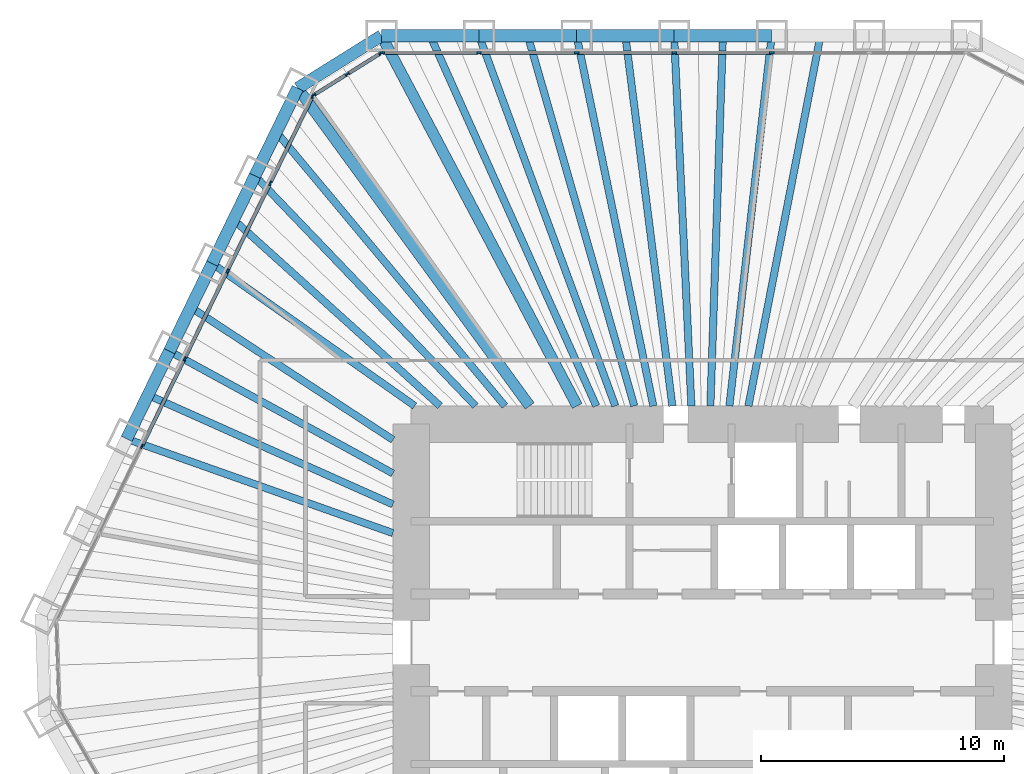
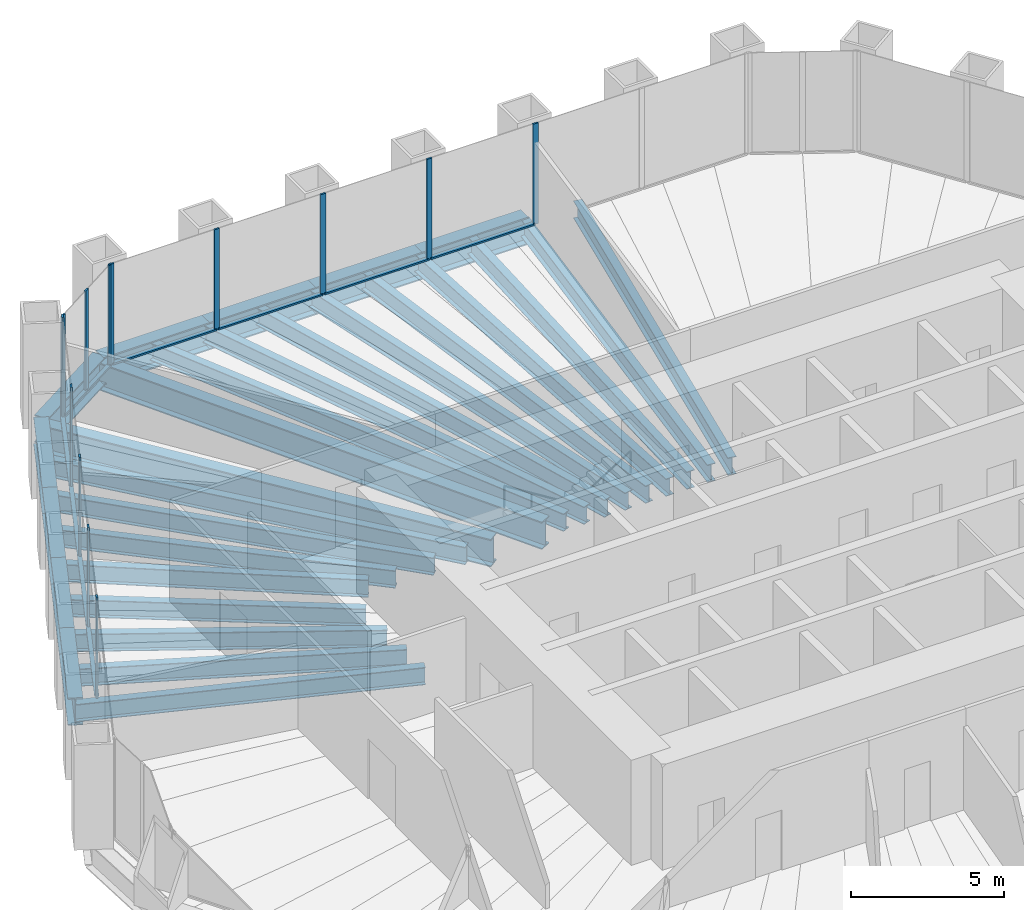
# One storey, part 6 of 13: 28 beams, 23 members, 3 elements without a shape of their own.
"""IFC4 building model written with IfcOpenShell, lengths in metres."""

from ifc_helpers import new_model, si_unit, direction, frame, origin, origin_2d, place, context, subcontext, project, spatial, rectangle, i_section, extrude, material, material_profile, profile_set, type_object, element, aggregate, save


model = new_model("IFC4")

# Units and contexts
model_context = context("Model", 3, precision=1e-05, world=origin(), true_north=direction((0.0, 1.0)))
body_context = subcontext(model_context, "Body", "Model", "MODEL_VIEW")
ifc_project = project(units=[si_unit("LENGTHUNIT", "METRE"), si_unit("AREAUNIT", "SQUARE_METRE"), si_unit("VOLUMEUNIT", "CUBIC_METRE"), si_unit("PLANEANGLEUNIT", "RADIAN"), si_unit("MASSUNIT", "GRAM", prefix="KILO")], contexts=[model_context])

# Site, building, storey
site_placement = place(None, origin())
site = spatial("IfcSite", under=ifc_project, at=site_placement, CompositionType="ELEMENT")
building_placement = place(site_placement, origin())
building = spatial("IfcBuilding", under=site, at=building_placement, Name="Qingtian Harvest Tower", CompositionType="ELEMENT")
storey_placement = place(building_placement, frame((0.0, 0.0, 124.0)))
storey = spatial("IfcBuildingStorey", under=building, at=storey_placement, Name="L25", CompositionType="ELEMENT", Elevation=124.0)

# Beams
ifc_material_1 = material(Name="Steel SM570MC", Category="steel")
ifc_material_profile_1 = material_profile(ifc_material_1, i_section(OverallWidth=0.449951171875, OverallDepth=1.10009765625, WebThickness=0.02197265625, FlangeThickness=0.044921875, at=origin_2d()), Name="H1100x450x22x45")
ifc_profile_set_1 = profile_set([ifc_material_profile_1], Name="Steel SM570MC")
beam_type_1 = type_object("IfcBeamType", Name="Corner floor beam FB8 H1100x450x22x45", PredefinedType="BEAM", material=ifc_profile_set_1)
beam_1_placement = place(storey_placement, frame((-13.2216796875, 25.0, -0.719970703125), z_axis=(0.46750989692, -0.88398783718, 0.0), x_axis=(0.88398783718, 0.46750989692, 0.0)))
element("IfcBeam", 1, at=beam_1_placement, inside=storey, type_object=beam_type_1, Name="Floor beam FB8 N0", PredefinedType="BEAM", context=body_context, shape_type="SweptSolid", body=[
    extrude(i_section(OverallWidth=0.449951171875, OverallDepth=1.10009765625, WebThickness=0.02197265625, FlangeThickness=0.044921875, at=origin_2d()), origin(), (0.0, 0.0, 1.0), 17.25146484375),
])
beam_2_placement = place(storey_placement, frame((-16.673828125, 22.8427734375, -0.719970703125), z_axis=(0.589577703364, -0.807711663712, 0.0), x_axis=(0.807711663712, 0.589577703364, 0.0)))
element("IfcBeam", 2, at=beam_2_placement, inside=storey, type_object=beam_type_1, Name="Floor beam FB8 NW6", PredefinedType="BEAM", context=body_context, shape_type="SweptSolid", body=[
    extrude(i_section(OverallWidth=0.449951171875, OverallDepth=1.10009765625, WebThickness=0.02197265625, FlangeThickness=0.044921875, at=origin_2d()), origin(), (0.0, 0.0, 1.0), 16.209716796875),
])
ifc_material_2 = material(Name="Steel SN490B", Category="steel")
ifc_material_profile_2 = material_profile(ifc_material_2, i_section(OverallWidth=0.300048828125, OverallDepth=0.699951171875, WebThickness=0.012939453125, FlangeThickness=0.02392578125, at=origin_2d()), Name="H700x300x13x24")
ifc_profile_set_2 = profile_set([ifc_material_profile_2], Name="Steel SN490B")
beam_type_2 = type_object("IfcBeamType", Name="Floor beam FB2 H700x300x13x24", PredefinedType="BEAM", material=ifc_profile_set_2)
beam_3_placement = place(storey_placement, frame((-9.20263671875, 25.0, -0.52001953125), z_axis=(0.345440084985, -0.938440806703, 0.0), x_axis=(0.938440806703, 0.345440084985, 0.0)))
element("IfcBeam", 3, at=beam_3_placement, inside=storey, type_object=beam_type_2, Name="Floor beam FB2 N1", PredefinedType="BEAM", context=body_context, shape_type="SweptSolid", body=[
    extrude(i_section(OverallWidth=0.300048828125, OverallDepth=0.699951171875, WebThickness=0.012939453125, FlangeThickness=0.02392578125, at=origin_2d()), origin(), (0.0, 0.0, 1.0), 16.250244140625),
])
beam_4_placement = place(storey_placement, frame((-5.18359375, 25.0, -0.52001953125), z_axis=(0.203032709566, -0.979171955709, 0.0), x_axis=(0.979171955709, 0.203032709566, 0.0)))
element("IfcBeam", 4, at=beam_4_placement, inside=storey, type_object=beam_type_2, Name="Floor beam FB2 N2", PredefinedType="BEAM", context=body_context, shape_type="SweptSolid", body=[
    extrude(i_section(OverallWidth=0.300048828125, OverallDepth=0.699951171875, WebThickness=0.012939453125, FlangeThickness=0.02392578125, at=origin_2d()), origin(), (0.0, 0.0, 1.0), 15.574462890625),
])
beam_5_placement = place(storey_placement, frame((-1.16455078125, 25.0, -0.52001953125), z_axis=(0.046536361684, -0.998916596639, 0.0), x_axis=(0.998916596639, 0.046536361684, 0.0)))
element("IfcBeam", 5, at=beam_5_placement, inside=storey, type_object=beam_type_2, Name="Floor beam FB2 N3", PredefinedType="BEAM", context=body_context, shape_type="SweptSolid", body=[
    extrude(i_section(OverallWidth=0.300048828125, OverallDepth=0.699951171875, WebThickness=0.012939453125, FlangeThickness=0.02392578125, at=origin_2d()), origin(), (0.0, 0.0, 1.0), 15.2666015625),
])
beam_6_placement = place(storey_placement, frame((2.8544921875, 25.0, -0.52001953125), z_axis=(-0.113440722222, -0.993544766249, 0.0), x_axis=(0.993544766249, -0.113440722222, 0.0)))
element("IfcBeam", 6, at=beam_6_placement, inside=storey, type_object=beam_type_2, Name="Floor beam FB2 N4", PredefinedType="BEAM", context=body_context, shape_type="SweptSolid", body=[
    extrude(i_section(OverallWidth=0.300048828125, OverallDepth=0.699951171875, WebThickness=0.012939453125, FlangeThickness=0.02392578125, at=origin_2d()), origin(), (0.0, 0.0, 1.0), 15.34912109375),
])
beam_7_placement = place(storey_placement, frame((-23.72119140625, 8.3935546875, -0.52001953125), z_axis=(0.942723186419, -0.333576068967, 0.0), x_axis=(0.333576068967, 0.942723186419, 0.0)))
element("IfcBeam", 7, at=beam_7_placement, inside=storey, type_object=beam_type_2, Name="Floor beam FB2 NW2", PredefinedType="BEAM", context=body_context, shape_type="SweptSolid", body=[
    extrude(i_section(OverallWidth=0.300048828125, OverallDepth=0.699951171875, WebThickness=0.012939453125, FlangeThickness=0.02392578125, at=origin_2d()), origin(), (0.0, 0.0, 1.0), 11.6376953125),
])
beam_8_placement = place(storey_placement, frame((-21.95947265625, 12.005859375, -0.52001953125), z_axis=(0.877432026785, -0.479700988505, 0.0), x_axis=(0.479700988505, 0.877432026785, 0.0)))
element("IfcBeam", 8, at=beam_8_placement, inside=storey, type_object=beam_type_2, Name="Floor beam FB2 NW3", PredefinedType="BEAM", context=body_context, shape_type="SweptSolid", body=[
    extrude(i_section(OverallWidth=0.300048828125, OverallDepth=0.699951171875, WebThickness=0.012939453125, FlangeThickness=0.02392578125, at=origin_2d()), origin(), (0.0, 0.0, 1.0), 10.495849609375),
])
beam_9_placement = place(storey_placement, frame((-20.197509765625, 15.6181640625, -0.52001953125), z_axis=(0.818080343043, -0.57510394915, 0.0), x_axis=(0.57510394915, 0.818080343043, 0.0)))
element("IfcBeam", 9, at=beam_9_placement, inside=storey, type_object=beam_type_2, Name="Floor beam FB2 NW4", PredefinedType="BEAM", context=body_context, shape_type="SweptSolid", body=[
    extrude(i_section(OverallWidth=0.300048828125, OverallDepth=0.699951171875, WebThickness=0.012939453125, FlangeThickness=0.02392578125, at=origin_2d()), origin(), (0.0, 0.0, 1.0), 10.20361328125),
])
beam_10_placement = place(storey_placement, frame((-18.435791015625, 19.23046875, -0.52001953125), z_axis=(0.69204101057, -0.721858185303, 0.0), x_axis=(0.721858185303, 0.69204101057, 0.0)))
element("IfcBeam", 10, at=beam_10_placement, inside=storey, type_object=beam_type_2, Name="Floor beam FB2 NW5", PredefinedType="BEAM", context=body_context, shape_type="SweptSolid", body=[
    extrude(i_section(OverallWidth=0.300048828125, OverallDepth=0.699951171875, WebThickness=0.012939453125, FlangeThickness=0.02392578125, at=origin_2d()), origin(), (0.0, 0.0, 1.0), 13.13330078125),
])
ifc_material_3 = material(Name="Steel SN490B", Category="steel")
ifc_material_profile_3 = material_profile(ifc_material_3, i_section(OverallWidth=0.300048828125, OverallDepth=0.699951171875, WebThickness=0.012939453125, FlangeThickness=0.02392578125, at=origin_2d()), Name="H700x300x13x24")
ifc_profile_set_3 = profile_set([ifc_material_profile_3], Name="Steel SN490B")
beam_type_3 = type_object("IfcBeamType", Name="Floor joist J2 H700x300x13x24", PredefinedType="JOIST", material=ifc_profile_set_3)
beam_11_placement = place(storey_placement, frame((-11.212158203125, 25.0, -0.52001953125), z_axis=(0.409212761683, -0.912438992852, 0.0), x_axis=(0.912438992852, 0.409212761683, 0.0)))
element("IfcBeam", 11, at=beam_11_placement, inside=storey, type_object=beam_type_3, Name="Floor joist J2 N0", PredefinedType="JOIST", context=body_context, shape_type="SweptSolid", body=[
    extrude(i_section(OverallWidth=0.300048828125, OverallDepth=0.699951171875, WebThickness=0.012939453125, FlangeThickness=0.02392578125, at=origin_2d()), origin(), (0.0, 0.0, 1.0), 16.71337890625),
])
beam_12_placement = place(storey_placement, frame((-7.193115234375, 25.0, -0.52001953125), z_axis=(0.276500682027, -0.961013721462, 0.0), x_axis=(0.961013721462, 0.276500682027, 0.0)))
element("IfcBeam", 12, at=beam_12_placement, inside=storey, type_object=beam_type_3, Name="Floor joist J2 N1", PredefinedType="JOIST", context=body_context, shape_type="SweptSolid", body=[
    extrude(i_section(OverallWidth=0.300048828125, OverallDepth=0.699951171875, WebThickness=0.012939453125, FlangeThickness=0.02392578125, at=origin_2d()), origin(), (0.0, 0.0, 1.0), 15.86865234375),
])
beam_13_placement = place(storey_placement, frame((-3.174072265625, 25.0, -0.52001953125), z_axis=(0.125957899702, -0.992035587821, 0.0), x_axis=(0.992035587821, 0.125957899702, 0.0)))
element("IfcBeam", 13, at=beam_13_placement, inside=storey, type_object=beam_type_3, Name="Floor joist J2 N2", PredefinedType="JOIST", context=body_context, shape_type="SweptSolid", body=[
    extrude(i_section(OverallWidth=0.300048828125, OverallDepth=0.699951171875, WebThickness=0.012939453125, FlangeThickness=0.02392578125, at=origin_2d()), origin(), (0.0, 0.0, 1.0), 15.372314453125),
])
beam_14_placement = place(storey_placement, frame((0.844970703125, 25.0, -0.52001953125), z_axis=(-0.033776183237, -0.999429421943, 0.0), x_axis=(0.999429421943, -0.033776183237, 0.0)))
element("IfcBeam", 14, at=beam_14_placement, inside=storey, type_object=beam_type_3, Name="Floor joist J2 N3", PredefinedType="JOIST", context=body_context, shape_type="SweptSolid", body=[
    extrude(i_section(OverallWidth=0.300048828125, OverallDepth=0.699951171875, WebThickness=0.012939453125, FlangeThickness=0.02392578125, at=origin_2d()), origin(), (0.0, 0.0, 1.0), 15.2587890625),
])
beam_15_placement = place(storey_placement, frame((4.864013671875, 25.0, -0.52001953125), z_axis=(-0.190979017217, -0.981594119269, 0.0), x_axis=(0.981594119269, -0.190979017217, 0.0)))
element("IfcBeam", 15, at=beam_15_placement, inside=storey, type_object=beam_type_3, Name="Floor joist J2 N4", PredefinedType="JOIST", context=body_context, shape_type="SweptSolid", body=[
    extrude(i_section(OverallWidth=0.300048828125, OverallDepth=0.699951171875, WebThickness=0.012939453125, FlangeThickness=0.02392578125, at=origin_2d()), origin(), (0.0, 0.0, 1.0), 15.535888671875),
])
beam_16_placement = place(storey_placement, frame((-22.84033203125, 10.19970703125, -0.52001953125), z_axis=(0.913095877166, -0.407744919162, 0.0), x_axis=(0.407744919162, 0.913095877166, 0.0)))
element("IfcBeam", 16, at=beam_16_placement, inside=storey, type_object=beam_type_3, Name="Floor joist J2 NW2", PredefinedType="JOIST", context=body_context, shape_type="SweptSolid", body=[
    extrude(i_section(OverallWidth=0.300048828125, OverallDepth=0.699951171875, WebThickness=0.012939453125, FlangeThickness=0.02392578125, at=origin_2d()), origin(), (0.0, 0.0, 1.0), 11.05078125),
])
beam_17_placement = place(storey_placement, frame((-21.078369140625, 13.81201171875, -0.52001953125), z_axis=(0.836426246046, -0.548079496903, 0.0), x_axis=(0.548079496903, 0.836426246046, 0.0)))
element("IfcBeam", 17, at=beam_17_placement, inside=storey, type_object=beam_type_3, Name="Floor joist J2 NW3", PredefinedType="JOIST", context=body_context, shape_type="SweptSolid", body=[
    extrude(i_section(OverallWidth=0.300048828125, OverallDepth=0.699951171875, WebThickness=0.012939453125, FlangeThickness=0.02392578125, at=origin_2d()), origin(), (0.0, 0.0, 1.0), 9.95703125),
])
beam_18_placement = place(storey_placement, frame((-19.316650390625, 17.42431640625, -0.52001953125), z_axis=(0.742543540775, -0.669797797886, 0.0), x_axis=(0.669797797886, 0.742543540775, 0.0)))
element("IfcBeam", 18, at=beam_18_placement, inside=storey, type_object=beam_type_3, Name="Floor joist J2 NW4", PredefinedType="JOIST", context=body_context, shape_type="SweptSolid", body=[
    extrude(i_section(OverallWidth=0.300048828125, OverallDepth=0.699951171875, WebThickness=0.012939453125, FlangeThickness=0.02392578125, at=origin_2d()), origin(), (0.0, 0.0, 1.0), 11.457763671875),
])
beam_19_placement = place(storey_placement, frame((-17.5546875, 21.03662109375, -0.52001953125), z_axis=(0.640703730007, -0.767788206704, 0.0), x_axis=(0.767788206704, 0.640703730007, 0.0)))
element("IfcBeam", 19, at=beam_19_placement, inside=storey, type_object=beam_type_3, Name="Floor joist J2 NW5", PredefinedType="JOIST", context=body_context, shape_type="SweptSolid", body=[
    extrude(i_section(OverallWidth=0.300048828125, OverallDepth=0.699951171875, WebThickness=0.012939453125, FlangeThickness=0.02392578125, at=origin_2d()), origin(), (0.0, 0.0, 1.0), 14.7001953125),
])

# Curtain wall, members
ifc_material_4 = material(Name="Bronze-anodised aluminium curtain wall", Category="aluminium")
curtain_wall_type = type_object("IfcCurtainWallType", Name="Curtain wall CW4 office", PredefinedType="USERDEFINED", material=ifc_material_4)
curtain_wall_1_placement = place(storey_placement, origin())
curtain_wall_1 = element("IfcCurtainWall", 20, at=curtain_wall_1_placement, inside=storey, type_object=curtain_wall_type, Name="Curtain wall CW4 L25 N0-5", ObjectType="RECESSED CURTAIN WALL", PredefinedType="USERDEFINED")
ifc_material_5 = material(Name="Bronze-anodised aluminium mullion", Category="aluminium")
ifc_material_profile_4 = material_profile(ifc_material_5, rectangle(XDim=0.06494140625, YDim=0.199951171875, at=origin_2d()), Name="AL 65x200")
ifc_profile_set_4 = profile_set([ifc_material_profile_4], Name="Bronze-anodised aluminium mullion")
member_type_1 = type_object("IfcMemberType", Name="Mullion CWM 65x200", PredefinedType="MULLION", material=ifc_profile_set_4)
member_1_placement = place(storey_placement, frame((-13.189208984375, 24.300048828125, 0.0), z_axis=(0.0, 0.0, 1.0), x_axis=(0.0, 1.0, 0.0)))
member_1 = element("IfcMember", 21, at=member_1_placement, type_object=member_type_1, Name="CW4 mullion 1", PredefinedType="MULLION", context=body_context, shape_type="SweptSolid", body=[
    extrude(rectangle(XDim=0.06494140625, YDim=0.199951171875, at=origin_2d()), origin(), (0.0, 0.0, 1.0), 4.030029296875),
])
member_2_placement = place(storey_placement, frame((-9.20263671875, 24.300048828125, 0.0), z_axis=(0.0, 0.0, 1.0), x_axis=(0.0, 1.0, 0.0)))
member_2 = element("IfcMember", 22, at=member_2_placement, type_object=member_type_1, Name="CW4 mullion 2", PredefinedType="MULLION", context=body_context, shape_type="SweptSolid", body=[
    extrude(rectangle(XDim=0.06494140625, YDim=0.199951171875, at=origin_2d()), origin(), (0.0, 0.0, 1.0), 4.030029296875),
])
member_3_placement = place(storey_placement, frame((-5.18359375, 24.300048828125, 0.0), z_axis=(0.0, 0.0, 1.0), x_axis=(0.0, 1.0, 0.0)))
member_3 = element("IfcMember", 23, at=member_3_placement, type_object=member_type_1, Name="CW4 mullion 3", PredefinedType="MULLION", context=body_context, shape_type="SweptSolid", body=[
    extrude(rectangle(XDim=0.06494140625, YDim=0.199951171875, at=origin_2d()), origin(), (0.0, 0.0, 1.0), 4.030029296875),
])
member_4_placement = place(storey_placement, frame((-1.16455078125, 24.300048828125, 0.0), z_axis=(0.0, 0.0, 1.0), x_axis=(0.0, 1.0, 0.0)))
member_4 = element("IfcMember", 24, at=member_4_placement, type_object=member_type_1, Name="CW4 mullion 4", PredefinedType="MULLION", context=body_context, shape_type="SweptSolid", body=[
    extrude(rectangle(XDim=0.06494140625, YDim=0.199951171875, at=origin_2d()), origin(), (0.0, 0.0, 1.0), 4.030029296875),
])
member_5_placement = place(storey_placement, frame((2.8544921875, 24.300048828125, 0.0), z_axis=(0.0, 0.0, 1.0), x_axis=(0.0, 1.0, 0.0)))
member_5 = element("IfcMember", 25, at=member_5_placement, type_object=member_type_1, Name="CW4 mullion 5", PredefinedType="MULLION", context=body_context, shape_type="SweptSolid", body=[
    extrude(rectangle(XDim=0.06494140625, YDim=0.199951171875, at=origin_2d()), origin(), (0.0, 0.0, 1.0), 4.030029296875),
])

curtain_wall_2_placement = place(storey_placement, origin())
curtain_wall_2 = element("IfcCurtainWall", 26, at=curtain_wall_2_placement, inside=storey, type_object=curtain_wall_type, Name="Curtain wall CW4 L25 NW0-5", ObjectType="RECESSED CURTAIN WALL", PredefinedType="USERDEFINED")
member_6_placement = place(storey_placement, frame((-23.092041015625, 8.086669921875, 0.0), z_axis=(0.0, 0.0, 1.0), x_axis=(-0.898794046299, 0.438371146789, 0.0)))
member_6 = element("IfcMember", 27, at=member_6_placement, type_object=member_type_1, Name="CW4 mullion 3", PredefinedType="MULLION", context=body_context, shape_type="SweptSolid", body=[
    extrude(rectangle(XDim=0.06494140625, YDim=0.199951171875, at=origin_2d()), origin(), (0.0, 0.0, 1.0), 4.030029296875),
])
member_7_placement = place(storey_placement, frame((-21.330322265625, 11.698974609375, 0.0), z_axis=(0.0, 0.0, 1.0), x_axis=(-0.898794046299, 0.438371146789, 0.0)))
member_7 = element("IfcMember", 28, at=member_7_placement, type_object=member_type_1, Name="CW4 mullion 4", PredefinedType="MULLION", context=body_context, shape_type="SweptSolid", body=[
    extrude(rectangle(XDim=0.06494140625, YDim=0.199951171875, at=origin_2d()), origin(), (0.0, 0.0, 1.0), 4.030029296875),
])
member_8_placement = place(storey_placement, frame((-19.568359375, 15.311279296875, 0.0), z_axis=(0.0, 0.0, 1.0), x_axis=(-0.898794046299, 0.438371146789, 0.0)))
member_8 = element("IfcMember", 29, at=member_8_placement, type_object=member_type_1, Name="CW4 mullion 5", PredefinedType="MULLION", context=body_context, shape_type="SweptSolid", body=[
    extrude(rectangle(XDim=0.06494140625, YDim=0.199951171875, at=origin_2d()), origin(), (0.0, 0.0, 1.0), 4.030029296875),
])
member_9_placement = place(storey_placement, frame((-17.806396484375, 18.923828125, 0.0), z_axis=(0.0, 0.0, 1.0), x_axis=(-0.898794046299, 0.438371146789, 0.0)))
member_9 = element("IfcMember", 30, at=member_9_placement, type_object=member_type_1, Name="CW4 mullion 6", PredefinedType="MULLION", context=body_context, shape_type="SweptSolid", body=[
    extrude(rectangle(XDim=0.06494140625, YDim=0.199951171875, at=origin_2d()), origin(), (0.0, 0.0, 1.0), 4.030029296875),
])
member_10_placement = place(storey_placement, frame((-16.058837890625, 22.5068359375, 0.0), z_axis=(0.0, 0.0, 1.0), x_axis=(-0.898794046299, 0.438371146789, 0.0)))
member_10 = element("IfcMember", 31, at=member_10_placement, type_object=member_type_1, Name="CW4 mullion 7", PredefinedType="MULLION", context=body_context, shape_type="SweptSolid", body=[
    extrude(rectangle(XDim=0.06494140625, YDim=0.199951171875, at=origin_2d()), origin(), (0.0, 0.0, 1.0), 4.030029296875),
])

curtain_wall_3_placement = place(storey_placement, origin())
curtain_wall_3 = element("IfcCurtainWall", 32, at=curtain_wall_3_placement, inside=storey, type_object=curtain_wall_type, Name="Curtain wall CW4 L25 NWC", ObjectType="RECESSED CURTAIN WALL", PredefinedType="USERDEFINED")
member_11_placement = place(storey_placement, frame((-16.01708984375, 22.55322265625, 0.0), z_axis=(0.0, 0.0, 1.0), x_axis=(-0.529919264233, 0.848048096156, 0.0)))
member_11 = element("IfcMember", 33, at=member_11_placement, type_object=member_type_1, Name="CW4 mullion 1", PredefinedType="MULLION", context=body_context, shape_type="SweptSolid", body=[
    extrude(rectangle(XDim=0.06494140625, YDim=0.199951171875, at=origin_2d()), origin(), (0.0, 0.0, 1.0), 4.030029296875),
])
member_12_placement = place(storey_placement, frame((-14.63330078125, 23.41796875, 0.0), z_axis=(0.0, 0.0, 1.0), x_axis=(-0.529919264233, 0.848048096156, 0.0)))
member_12 = element("IfcMember", 34, at=member_12_placement, type_object=member_type_1, Name="CW4 mullion 2", PredefinedType="MULLION", context=body_context, shape_type="SweptSolid", body=[
    extrude(rectangle(XDim=0.06494140625, YDim=0.199951171875, at=origin_2d()), origin(), (0.0, 0.0, 1.0), 4.030029296875),
])
member_13_placement = place(storey_placement, frame((-13.249267578125, 24.28271484375, 0.0), z_axis=(0.0, 0.0, 1.0), x_axis=(-0.529919264233, 0.848048096156, 0.0)))
member_13 = element("IfcMember", 35, at=member_13_placement, type_object=member_type_1, Name="CW4 mullion 3", PredefinedType="MULLION", context=body_context, shape_type="SweptSolid", body=[
    extrude(rectangle(XDim=0.06494140625, YDim=0.199951171875, at=origin_2d()), origin(), (0.0, 0.0, 1.0), 4.030029296875),
])

# Beams
ifc_material_6 = material(Name="Steel SM570MC", Category="steel")
ifc_material_profile_5 = material_profile(ifc_material_6, i_section(OverallWidth=0.5, OverallDepth=1.10009765625, WebThickness=0.02490234375, FlangeThickness=0.050048828125, at=origin_2d()), Name="H1100x500x25x50")
ifc_profile_set_5 = profile_set([ifc_material_profile_5], Name="Steel SM570MC")
beam_type_4 = type_object("IfcBeamType", Name="Spandrel beam SB2 H1100x500x25x50", PredefinedType="SPANDREL", material=ifc_profile_set_5)
for number, where, z_axis, x_axis, name in (
    (36, (-13.2216796875, 25.0, -0.550048828125), (1.0, 0.0, 0.0), (0.0, 1.0, 0.0), "Spandrel SB2 N0"),
    (37, (-9.20263671875, 25.0, -0.550048828125), (1.0, 0.0, 0.0), (0.0, 1.0, 0.0), "Spandrel SB2 N1"),
    (38, (-5.18359375, 25.0, -0.550048828125), (1.0, 0.0, 0.0), (0.0, 1.0, 0.0), "Spandrel SB2 N2"),
    (39, (-1.16455078125, 25.0, -0.550048828125), (1.0, 0.0, 0.0), (0.0, 1.0, 0.0), "Spandrel SB2 N3"),
    (40, (-23.72119140625, 8.3935546875, -0.550048828125), (0.438347033158, 0.898805806902, 0.0), (-0.898805806902, 0.438347033158, 0.0), "Spandrel SB2 NW2"),
    (41, (-21.95947265625, 12.005859375, -0.550048828125), (0.438396105405, 0.89878187274, 0.0), (-0.89878187274, 0.438396105405, 0.0), "Spandrel SB2 NW3"),
    (42, (-20.197509765625, 15.6181640625, -0.550048828125), (0.438347033158, 0.898805806902, 0.0), (-0.898805806902, 0.438347033158, 0.0), "Spandrel SB2 NW4"),
    (43, (-18.435791015625, 19.23046875, -0.550048828125), (0.438396105405, 0.89878187274, 0.0), (-0.89878187274, 0.438396105405, 0.0), "Spandrel SB2 NW5"),
):
    element("IfcBeam", number, at=place(storey_placement, frame(where, z_axis=z_axis, x_axis=x_axis)), inside=storey, type_object=beam_type_4, Name=name, PredefinedType="SPANDREL", context=body_context, shape_type="SweptSolid", body=[
        extrude(i_section(OverallWidth=0.5, OverallDepth=1.10009765625, WebThickness=0.02490234375, FlangeThickness=0.050048828125, at=origin_2d()), origin(), (0.0, 0.0, 1.0), 4.01904296875),
    ])
beam_20_placement = place(storey_placement, frame((-16.673828125, 22.8427734375, -0.550048828125), z_axis=(0.848038733752, 0.529934246919, 0.0), x_axis=(-0.529934246919, 0.848038733752, 0.0)))
element("IfcBeam", 44, at=beam_20_placement, inside=storey, type_object=beam_type_4, Name="Spandrel SB2 NWC", PredefinedType="SPANDREL", context=body_context, shape_type="SweptSolid", body=[
    extrude(i_section(OverallWidth=0.5, OverallDepth=1.10009765625, WebThickness=0.02490234375, FlangeThickness=0.050048828125, at=origin_2d()), origin(), (0.0, 0.0, 1.0), 4.07080078125),
])

# Member
ifc_material_7 = material(Name="Bronze-anodised aluminium transom", Category="aluminium")
ifc_material_profile_6 = material_profile(ifc_material_7, rectangle(XDim=0.14990234375, YDim=0.06494140625, at=origin_2d()), Name="AL 65x150")
ifc_profile_set_6 = profile_set([ifc_material_profile_6], Name="Bronze-anodised aluminium transom")
member_type_2 = type_object("IfcMemberType", Name="Transom CWT 65x150", PredefinedType="USERDEFINED", material=ifc_profile_set_6)
member_14_placement = place(storey_placement, frame((-13.15673828125, 24.300048828125, 0.032470703125), z_axis=(1.0, 0.0, 0.0), x_axis=(0.0, 1.0, 0.0)))
member_14 = element("IfcMember", 45, at=member_14_placement, type_object=member_type_2, Name="CW4 transom 1.1", ObjectType="TRANSOM", PredefinedType="USERDEFINED", context=body_context, shape_type="SweptSolid", body=[
    extrude(rectangle(XDim=0.14990234375, YDim=0.06494140625, at=origin_2d()), origin(), (0.0, 0.0, 1.0), 3.921630859375),
])

member_15_placement = place(storey_placement, frame((-9.170166015625, 24.300048828125, 0.032470703125), z_axis=(1.0, 0.0, 0.0), x_axis=(0.0, 1.0, 0.0)))
member_15 = element("IfcMember", 46, at=member_15_placement, type_object=member_type_2, Name="CW4 transom 2.1", ObjectType="TRANSOM", PredefinedType="USERDEFINED", context=body_context, shape_type="SweptSolid", body=[
    extrude(rectangle(XDim=0.14990234375, YDim=0.06494140625, at=origin_2d()), origin(), (0.0, 0.0, 1.0), 3.9541015625),
])

member_16_placement = place(storey_placement, frame((-5.151123046875, 24.300048828125, 0.032470703125), z_axis=(1.0, 0.0, 0.0), x_axis=(0.0, 1.0, 0.0)))
member_16 = element("IfcMember", 47, at=member_16_placement, type_object=member_type_2, Name="CW4 transom 3.1", ObjectType="TRANSOM", PredefinedType="USERDEFINED", context=body_context, shape_type="SweptSolid", body=[
    extrude(rectangle(XDim=0.14990234375, YDim=0.06494140625, at=origin_2d()), origin(), (0.0, 0.0, 1.0), 3.9541015625),
])

member_17_placement = place(storey_placement, frame((-1.132080078125, 24.300048828125, 0.032470703125), z_axis=(1.0, 0.0, 0.0), x_axis=(0.0, 1.0, 0.0)))
member_17 = element("IfcMember", 48, at=member_17_placement, type_object=member_type_2, Name="CW4 transom 4.1", ObjectType="TRANSOM", PredefinedType="USERDEFINED", context=body_context, shape_type="SweptSolid", body=[
    extrude(rectangle(XDim=0.14990234375, YDim=0.06494140625, at=origin_2d()), origin(), (0.0, 0.0, 1.0), 3.9541015625),
])

aggregate(curtain_wall_1, [member_1, member_2, member_3, member_4, member_5, member_14, member_15, member_16, member_17])

member_18_placement = place(storey_placement, frame((-23.077880859375, 8.115966796875, 0.032470703125), z_axis=(0.438374972828, 0.898792180205, 0.0), x_axis=(-0.898792180205, 0.438374972828, 0.0)))
member_18 = element("IfcMember", 49, at=member_18_placement, type_object=member_type_2, Name="CW4 transom 3.1", ObjectType="TRANSOM", PredefinedType="USERDEFINED", context=body_context, shape_type="SweptSolid", body=[
    extrude(rectangle(XDim=0.14990234375, YDim=0.06494140625, at=origin_2d()), origin(), (0.0, 0.0, 1.0), 3.9541015625),
])

member_19_placement = place(storey_placement, frame((-21.31591796875, 11.728271484375, 0.032470703125), z_axis=(0.438374972828, 0.898792180205, 0.0), x_axis=(-0.898792180205, 0.438374972828, 0.0)))
member_19 = element("IfcMember", 50, at=member_19_placement, type_object=member_type_2, Name="CW4 transom 4.1", ObjectType="TRANSOM", PredefinedType="USERDEFINED", context=body_context, shape_type="SweptSolid", body=[
    extrude(rectangle(XDim=0.14990234375, YDim=0.06494140625, at=origin_2d()), origin(), (0.0, 0.0, 1.0), 3.9541015625),
])

member_20_placement = place(storey_placement, frame((-19.55419921875, 15.340576171875, 0.032470703125), z_axis=(0.438374972828, 0.898792180205, 0.0), x_axis=(-0.898792180205, 0.438374972828, 0.0)))
member_20 = element("IfcMember", 51, at=member_20_placement, type_object=member_type_2, Name="CW4 transom 5.1", ObjectType="TRANSOM", PredefinedType="USERDEFINED", context=body_context, shape_type="SweptSolid", body=[
    extrude(rectangle(XDim=0.14990234375, YDim=0.06494140625, at=origin_2d()), origin(), (0.0, 0.0, 1.0), 3.9541015625),
])

member_21_placement = place(storey_placement, frame((-17.792236328125, 18.952880859375, 0.032470703125), z_axis=(0.438351261745, 0.898803744611, 0.0), x_axis=(-0.898803744611, 0.438351261745, 0.0)))
member_21 = element("IfcMember", 52, at=member_21_placement, type_object=member_type_2, Name="CW4 transom 6.1", ObjectType="TRANSOM", PredefinedType="USERDEFINED", context=body_context, shape_type="SweptSolid", body=[
    extrude(rectangle(XDim=0.14990234375, YDim=0.06494140625, at=origin_2d()), origin(), (0.0, 0.0, 1.0), 3.92138671875),
])

aggregate(curtain_wall_2, [member_6, member_7, member_8, member_9, member_10, member_18, member_19, member_20, member_21])

member_22_placement = place(storey_placement, frame((-15.989501953125, 22.570556640625, 0.032470703125), z_axis=(0.848059570903, 0.529900900357, 0.0), x_axis=(-0.529900900357, 0.848059570903, 0.0)))
member_22 = element("IfcMember", 53, at=member_22_placement, type_object=member_type_2, Name="CW4 transom 1.1", ObjectType="TRANSOM", PredefinedType="USERDEFINED", context=body_context, shape_type="SweptSolid", body=[
    extrude(rectangle(XDim=0.14990234375, YDim=0.06494140625, at=origin_2d()), origin(), (0.0, 0.0, 1.0), 1.56689453125),
])

member_23_placement = place(storey_placement, frame((-14.605712890625, 23.435302734375, 0.032470703125), z_axis=(0.848059570903, 0.529900900357, 0.0), x_axis=(-0.529900900357, 0.848059570903, 0.0)))
member_23 = element("IfcMember", 54, at=member_23_placement, type_object=member_type_2, Name="CW4 transom 2.1", ObjectType="TRANSOM", PredefinedType="USERDEFINED", context=body_context, shape_type="SweptSolid", body=[
    extrude(rectangle(XDim=0.14990234375, YDim=0.06494140625, at=origin_2d()), origin(), (0.0, 0.0, 1.0), 1.56689453125),
])

aggregate(curtain_wall_3, [member_11, member_12, member_13, member_22, member_23])

save(model, "model.ifc")
